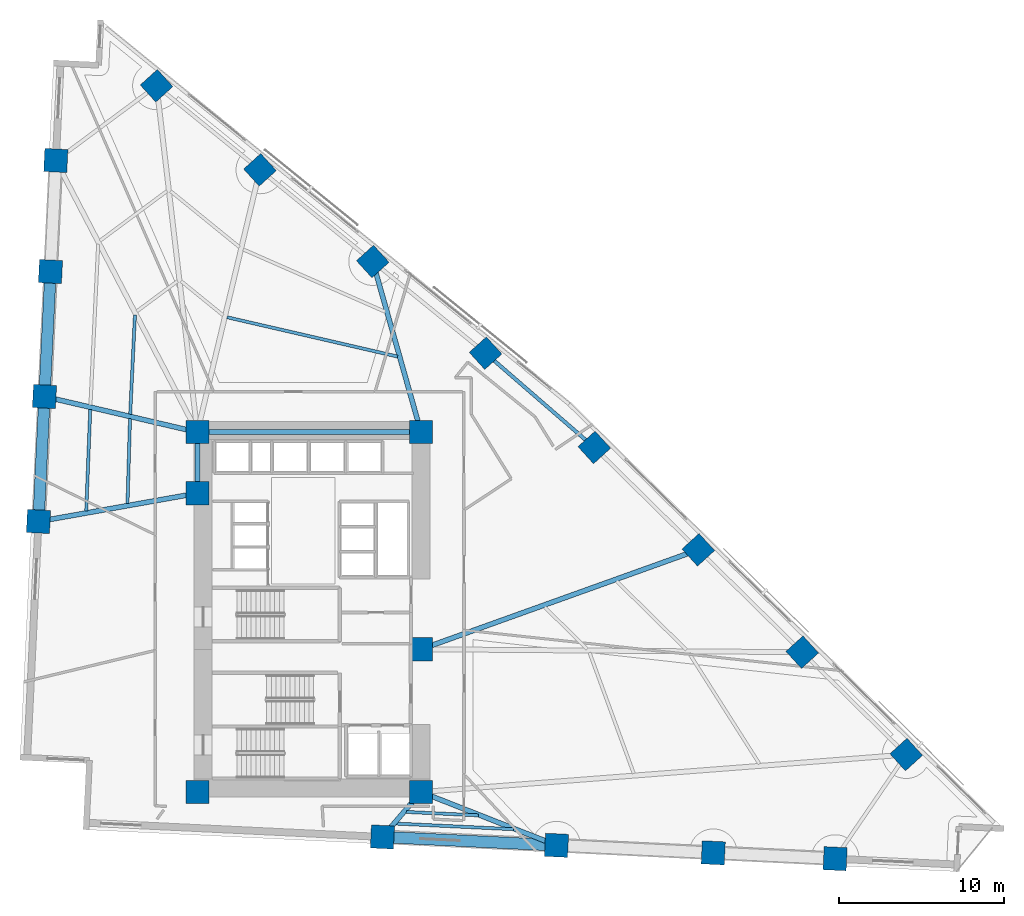
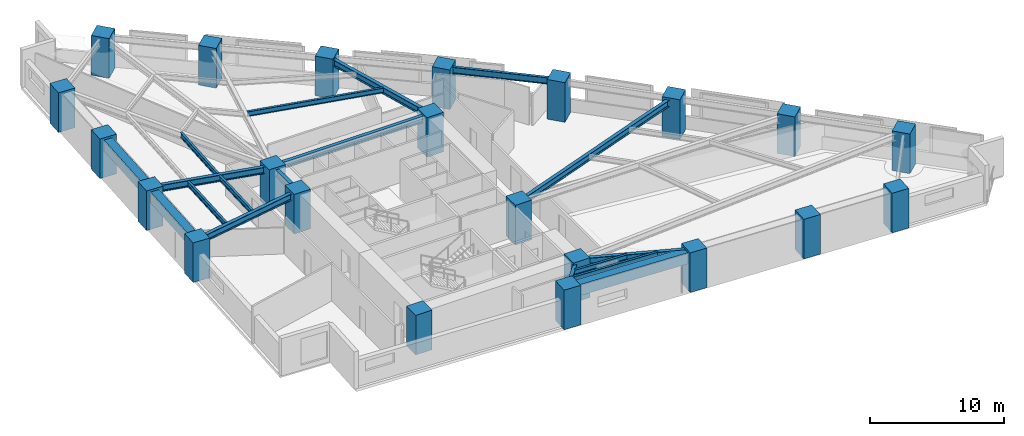
# One storey, part 1 of 17: 22 columns, 18 beams.
"""IFC4 building model written with IfcOpenShell, lengths in metres."""

from ifc_helpers import new_model, si_unit, direction, frame, origin, origin_2d, place, context, subcontext, project, spatial, rectangle, i_section, extrude, material, material_profile, profile_set, type_object, element, save


model = new_model("IFC4")

# Units and contexts
model_context = context("Model", 3, precision=1e-05, world=origin(), true_north=direction((0.0, 1.0)))
body_context = subcontext(model_context, "Body", "Model", "MODEL_VIEW")
ifc_project = project(units=[si_unit("LENGTHUNIT", "METRE"), si_unit("AREAUNIT", "SQUARE_METRE"), si_unit("VOLUMEUNIT", "CUBIC_METRE"), si_unit("PLANEANGLEUNIT", "RADIAN"), si_unit("MASSUNIT", "GRAM", prefix="KILO")], contexts=[model_context])

# Site, building, storey
site_placement = place(None, origin())
site = spatial("IfcSite", under=ifc_project, at=site_placement, CompositionType="ELEMENT")
building_placement = place(site_placement, origin())
building = spatial("IfcBuilding", under=site, at=building_placement, Name="Narakoshi Arena Tower", CompositionType="ELEMENT")
storey_placement = place(building_placement, frame((0.0, 0.0, 48.300048828125)))
storey = spatial("IfcBuildingStorey", under=building, at=storey_placement, Name="L12", CompositionType="ELEMENT", Elevation=48.300048828125)

# Columns
ifc_material_1 = material(Name="Concrete C60/75", Category="concrete")
ifc_material_profile_1 = material_profile(ifc_material_1, rectangle(XDim=1.39990234375, YDim=1.39990234375, at=origin_2d()), Name="RC1400x1400")
ifc_profile_set_1 = profile_set([ifc_material_profile_1], Name="Concrete C60/75")
column_type = type_object("IfcColumnType", Name="COL-RC1400", PredefinedType="COLUMN", material=ifc_profile_set_1)
for number, where, z_axis, x_axis, name in (
    (1, (72.0, 34.699951171875, 0.0), (0.0, 0.0, 1.0), (1.0, 0.0, 0.0), "L12 Core Structural Column CC1"),
    (2, (85.550048828125, 34.699951171875, 0.0), (0.0, 0.0, 1.0), (1.0, 0.0, 0.0), "L12 Core Structural Column CC2"),
    (3, (85.550048828125, 43.35009765625, 0.0), (0.0, 0.0, 1.0), (1.0, 0.0, 0.0), "L12 Core Structural Column CC3"),
    (4, (72.0, 52.800048828125, 0.0), (0.0, 0.0, 1.0), (1.0, 0.0, 0.0), "L12 Core Structural Column CC4"),
    (5, (72.0, 56.5, 0.0), (0.0, 0.0, 1.0), (1.0, 0.0, 0.0), "L12 Core Structural Column CC5"),
    (6, (85.550048828125, 56.5, 0.0), (0.0, 0.0, 1.0), (1.0, 0.0, 0.0), "L12 Core Structural Column CC6"),
    (7, (83.2119140625, 31.979248046875, 0.0), (0.0, 0.0, 1.0), (-0.998848386485, 0.047978128521, 0.0), "L12 Tower Perimeter Column TC01"),
    (8, (93.760009765625, 31.472412109375, 0.0), (0.0, 0.0, 1.0), (-0.998848386485, 0.047978128521, 0.0), "L12 Tower Perimeter Column TC02"),
    (9, (103.2529296875, 31.0166015625, 0.0), (0.0, 0.0, 1.0), (-0.998848386485, 0.047978128521, 0.0), "L12 Tower Perimeter Column TC03"),
    (10, (110.636474609375, 30.661865234375, 0.0), (0.0, 0.0, 1.0), (-0.998848386485, 0.047978128521, 0.0), "L12 Tower Perimeter Column TC04"),
    (11, (114.942138671875, 36.969970703125, 0.0), (0.0, 0.0, 1.0), (0.740218127487, 0.672366807435, 0.0), "L12 Tower Perimeter Column TC05"),
    (12, (108.643798828125, 43.171875, 0.0), (0.0, 0.0, 1.0), (0.740218127487, 0.672366807435, 0.0), "L12 Tower Perimeter Column TC06"),
    (13, (102.345458984375, 49.373779296875, 0.0), (0.0, 0.0, 1.0), (0.740218127487, 0.672366807435, 0.0), "L12 Tower Perimeter Column TC07"),
    (14, (96.047119140625, 55.57568359375, 0.0), (0.0, 0.0, 1.0), (0.740218127487, 0.672366807435, 0.0), "L12 Tower Perimeter Column TC08"),
    (15, (89.459716796875, 61.28515625, 0.0), (0.0, 0.0, 1.0), (0.740218127487, 0.672366807435, 0.0), "L12 Tower Perimeter Column TC09"),
    (16, (82.626953125, 66.838623046875, 0.0), (0.0, 0.0, 1.0), (0.740218127487, 0.672366807435, 0.0), "L12 Tower Perimeter Column TC10"),
    (17, (75.794189453125, 72.392333984375, 0.0), (0.0, 0.0, 1.0), (0.740218127487, 0.672366807435, 0.0), "L12 Tower Perimeter Column TC11"),
    (18, (69.531005859375, 77.483154296875, 0.0), (0.0, 0.0, 1.0), (0.740218127487, 0.672366807435, 0.0), "L12 Tower Perimeter Column TC12"),
    (19, (63.42822265625, 72.95654296875, 0.0), (0.0, 0.0, 1.0), (0.047978128521, 0.998848386485, 0.0), "L12 Tower Perimeter Column TC13"),
    (20, (63.10498046875, 66.228271484375, 0.0), (0.0, 0.0, 1.0), (0.047978128521, 0.998848386485, 0.0), "L12 Tower Perimeter Column TC14"),
    (21, (62.74169921875, 58.658935546875, 0.0), (0.0, 0.0, 1.0), (0.047978128521, 0.998848386485, 0.0), "L12 Tower Perimeter Column TC15"),
    (22, (62.3779296875, 51.08984375, 0.0), (0.0, 0.0, 1.0), (0.047978128521, 0.998848386485, 0.0), "L12 Tower Perimeter Column TC16"),
):
    element("IfcColumn", number, at=place(storey_placement, frame(where, z_axis=z_axis, x_axis=x_axis)), inside=storey, type_object=column_type, Name=name, PredefinedType="COLUMN", context=body_context, shape_type="SweptSolid", body=[
        extrude(rectangle(XDim=1.39990234375, YDim=1.39990234375, at=origin_2d()), origin(), (0.0, 0.0, 1.0), 3.599853515625),
    ])

# Beams
ifc_material_profile_2 = material_profile(ifc_material_1, rectangle(XDim=0.699951171875, YDim=1.0, at=origin_2d()), Name="RCB700x1000")
ifc_profile_set_2 = profile_set([ifc_material_profile_2], Name="Concrete C60/75")
beam_type_1 = type_object("IfcBeamType", Name="BM-CPL-1000", PredefinedType="BEAM", material=ifc_profile_set_2)
beam_1_placement = place(storey_placement, frame((83.2119140625, 31.979248046875, 2.89990234375), z_axis=(0.998847594152, -0.047994621119, 0.0), x_axis=(0.047994621119, 0.998847594152, 0.0)))
element("IfcBeam", 23, at=beam_1_placement, inside=storey, type_object=beam_type_1, Name="L12 Perimeter Edge Girder 01", PredefinedType="BEAM", context=body_context, shape_type="SweptSolid", body=[
    extrude(rectangle(XDim=0.699951171875, YDim=1.0, at=origin_2d()), origin(), (0.0, 0.0, 1.0), 10.560302734375),
])
beam_2_placement = place(storey_placement, frame((63.10498046875, 66.228271484375, 2.89990234375), z_axis=(-0.047938627957, -0.99885028305, 0.0), x_axis=(0.99885028305, -0.047938627957, 0.0)))
element("IfcBeam", 24, at=beam_2_placement, inside=storey, type_object=beam_type_1, Name="L12 Perimeter Edge Girder 14", PredefinedType="BEAM", context=body_context, shape_type="SweptSolid", body=[
    extrude(rectangle(XDim=0.699951171875, YDim=1.0, at=origin_2d()), origin(), (0.0, 0.0, 1.0), 7.578125),
])
beam_3_placement = place(storey_placement, frame((62.74169921875, 58.658935546875, 2.89990234375), z_axis=(-0.048004457986, -0.998847121442, 0.0), x_axis=(0.998847121442, -0.048004457986, 0.0)))
element("IfcBeam", 25, at=beam_3_placement, inside=storey, type_object=beam_type_1, Name="L12 Perimeter Edge Girder 15", PredefinedType="BEAM", context=body_context, shape_type="SweptSolid", body=[
    extrude(rectangle(XDim=0.699951171875, YDim=1.0, at=origin_2d()), origin(), (0.0, 0.0, 1.0), 7.577880859375),
])
ifc_material_2 = material(Name="Structural steel S355J2", Category="steel")
ifc_material_profile_3 = material_profile(ifc_material_2, i_section(OverallWidth=0.219970703125, OverallDepth=0.60009765625, WebThickness=0.011962890625, FlangeThickness=0.01904296875, FilletRadius=0.02392578125, at=origin_2d()), Name="IPE600")
ifc_profile_set_3 = profile_set([ifc_material_profile_3], Name="Structural steel S355J2")
beam_type_2 = type_object("IfcBeamType", Name="BM-EDGE-600", PredefinedType="BEAM", material=ifc_profile_set_3)
beam_4_placement = place(storey_placement, frame((96.047119140625, 55.57568359375, 3.099853515625), z_axis=(-0.755666904752, 0.654956127586, 0.0), x_axis=(-0.654956127586, -0.755666904752, 0.0)))
element("IfcBeam", 26, at=beam_4_placement, inside=storey, type_object=beam_type_2, Name="L12 Perimeter Edge Girder 08", PredefinedType="BEAM", context=body_context, shape_type="SweptSolid", body=[
    extrude(i_section(OverallWidth=0.219970703125, OverallDepth=0.60009765625, WebThickness=0.011962890625, FlangeThickness=0.01904296875, FilletRadius=0.02392578125, at=origin_2d()), origin(), (0.0, 0.0, 1.0), 8.71728515625),
])
ifc_material_profile_4 = material_profile(ifc_material_2, i_section(OverallWidth=0.300048828125, OverallDepth=0.60009765625, WebThickness=0.015380859375, FlangeThickness=0.030029296875, FilletRadius=0.027099609375, at=origin_2d()), Name="HE600B")
ifc_profile_set_4 = profile_set([ifc_material_profile_4], Name="Structural steel S355J2")
beam_type_3 = type_object("IfcBeamType", Name="BM-PRI-600", PredefinedType="BEAM", material=ifc_profile_set_4)
beam_5_placement = place(storey_placement, frame((85.550048828125, 34.699951171875, 3.099853515625), z_axis=(-0.651771636497, -0.75841527797, 0.0), x_axis=(0.75841527797, -0.651771636497, 0.0)))
element("IfcBeam", 27, at=beam_5_placement, inside=storey, type_object=beam_type_3, Name="L12 Radial Primary Floor Girder 01", PredefinedType="BEAM", context=body_context, shape_type="SweptSolid", body=[
    extrude(i_section(OverallWidth=0.300048828125, OverallDepth=0.60009765625, WebThickness=0.015380859375, FlangeThickness=0.030029296875, FilletRadius=0.027099609375, at=origin_2d()), origin(), (0.0, 0.0, 1.0), 3.58740234375),
])
beam_6_placement = place(storey_placement, frame((85.550048828125, 34.699951171875, 3.099853515625), z_axis=(0.930666699288, -0.365868138592, 0.0), x_axis=(0.365868138592, 0.930666699288, 0.0)))
element("IfcBeam", 28, at=beam_6_placement, inside=storey, type_object=beam_type_3, Name="L12 Radial Primary Floor Girder 02", PredefinedType="BEAM", context=body_context, shape_type="SweptSolid", body=[
    extrude(i_section(OverallWidth=0.300048828125, OverallDepth=0.60009765625, WebThickness=0.015380859375, FlangeThickness=0.030029296875, FilletRadius=0.027099609375, at=origin_2d()), origin(), (0.0, 0.0, 1.0), 8.821533203125),
])
beam_7_placement = place(storey_placement, frame((85.550048828125, 43.35009765625, 3.099853515625), z_axis=(0.941291582753, 0.337594662634, 0.0), x_axis=(-0.337594662634, 0.941291582753, 0.0)))
element("IfcBeam", 29, at=beam_7_placement, inside=storey, type_object=beam_type_3, Name="L12 Radial Primary Floor Girder 07", PredefinedType="BEAM", context=body_context, shape_type="SweptSolid", body=[
    extrude(i_section(OverallWidth=0.300048828125, OverallDepth=0.60009765625, WebThickness=0.015380859375, FlangeThickness=0.030029296875, FilletRadius=0.027099609375, at=origin_2d()), origin(), (0.0, 0.0, 1.0), 17.843017578125),
])
beam_8_placement = place(storey_placement, frame((85.550048828125, 56.5, 3.099853515625), z_axis=(-0.272069994974, 0.962277464058, 0.0), x_axis=(-0.962277464058, -0.272069994974, 0.0)))
element("IfcBeam", 30, at=beam_8_placement, inside=storey, type_object=beam_type_3, Name="L12 Radial Primary Floor Girder 10", PredefinedType="BEAM", context=body_context, shape_type="SweptSolid", body=[
    extrude(i_section(OverallWidth=0.300048828125, OverallDepth=0.60009765625, WebThickness=0.015380859375, FlangeThickness=0.030029296875, FilletRadius=0.027099609375, at=origin_2d()), origin(), (0.0, 0.0, 1.0), 10.743896484375),
])
beam_9_placement = place(storey_placement, frame((72.0, 56.5, 3.099853515625), z_axis=(-0.973872266719, 0.227096473145, 0.0), x_axis=(-0.227096473145, -0.973872266719, 0.0)))
element("IfcBeam", 31, at=beam_9_placement, inside=storey, type_object=beam_type_3, Name="L12 Radial Primary Floor Girder 15", PredefinedType="BEAM", context=body_context, shape_type="SweptSolid", body=[
    extrude(i_section(OverallWidth=0.300048828125, OverallDepth=0.60009765625, WebThickness=0.015380859375, FlangeThickness=0.030029296875, FilletRadius=0.027099609375, at=origin_2d()), origin(), (0.0, 0.0, 1.0), 9.506591796875),
])
beam_10_placement = place(storey_placement, frame((72.0, 52.800048828125, 3.099853515625), z_axis=(-0.984569299514, -0.174995126944, 0.0), x_axis=(0.174995126944, -0.984569299514, 0.0)))
element("IfcBeam", 32, at=beam_10_placement, inside=storey, type_object=beam_type_3, Name="L12 Radial Primary Floor Girder 16", PredefinedType="BEAM", context=body_context, shape_type="SweptSolid", body=[
    extrude(i_section(OverallWidth=0.300048828125, OverallDepth=0.60009765625, WebThickness=0.015380859375, FlangeThickness=0.030029296875, FilletRadius=0.027099609375, at=origin_2d()), origin(), (0.0, 0.0, 1.0), 9.77294921875),
])
beam_11_placement = place(storey_placement, frame((72.0, 52.800048828125, 3.099853515625), z_axis=(0.0, 1.0, 0.0), x_axis=(-1.0, 0.0, 0.0)))
element("IfcBeam", 33, at=beam_11_placement, inside=storey, type_object=beam_type_3, Name="L12 Core Perimeter Frame Beam CC4-CC5", PredefinedType="BEAM", context=body_context, shape_type="SweptSolid", body=[
    extrude(i_section(OverallWidth=0.300048828125, OverallDepth=0.60009765625, WebThickness=0.015380859375, FlangeThickness=0.030029296875, FilletRadius=0.027099609375, at=origin_2d()), origin(), (0.0, 0.0, 1.0), 3.699951171875),
])
beam_12_placement = place(storey_placement, frame((72.0, 56.5, 3.099853515625), z_axis=(1.0, 0.0, 0.0), x_axis=(0.0, 1.0, 0.0)))
element("IfcBeam", 34, at=beam_12_placement, inside=storey, type_object=beam_type_3, Name="L12 Core Perimeter Frame Beam CC5-CC6", PredefinedType="BEAM", context=body_context, shape_type="SweptSolid", body=[
    extrude(i_section(OverallWidth=0.300048828125, OverallDepth=0.60009765625, WebThickness=0.015380859375, FlangeThickness=0.030029296875, FilletRadius=0.027099609375, at=origin_2d()), origin(), (0.0, 0.0, 1.0), 13.550048828125),
])
ifc_material_profile_5 = material_profile(ifc_material_2, i_section(OverallWidth=0.18994140625, OverallDepth=0.449951171875, WebThickness=0.009521484375, FlangeThickness=0.0146484375, FilletRadius=0.02099609375, at=origin_2d()), Name="IPE450")
ifc_profile_set_5 = profile_set([ifc_material_profile_5], Name="Structural steel S355J2")
beam_type_4 = type_object("IfcBeamType", Name="BM-SEC-450", PredefinedType="JOIST", material=ifc_profile_set_5)
beam_13_placement = place(storey_placement, frame((84.656005859375, 33.496337890625, 3.175048828125), z_axis=(0.998848618666, -0.047973294541, 0.0), x_axis=(0.047973294541, 0.998848618666, 0.0)))
element("IfcBeam", 35, at=beam_13_placement, inside=storey, type_object=beam_type_4, Name="L12 Composite Secondary Floor Joist 01", PredefinedType="JOIST", context=body_context, shape_type="SweptSolid", body=[
    extrude(i_section(OverallWidth=0.18994140625, OverallDepth=0.449951171875, WebThickness=0.009521484375, FlangeThickness=0.0146484375, FilletRadius=0.02099609375, at=origin_2d()), origin(), (0.0, 0.0, 1.0), 4.376708984375),
])
beam_14_placement = place(storey_placement, frame((84.048095703125, 32.7890625, 3.175048828125), z_axis=(0.998847805769, -0.047990216825, 0.0), x_axis=(0.047990216825, 0.998847805769, 0.0)))
element("IfcBeam", 36, at=beam_14_placement, inside=storey, type_object=beam_type_4, Name="L12 Composite Secondary Floor Joist 02", PredefinedType="JOIST", context=body_context, shape_type="SweptSolid", body=[
    extrude(i_section(OverallWidth=0.18994140625, OverallDepth=0.449951171875, WebThickness=0.009521484375, FlangeThickness=0.0146484375, FilletRadius=0.02099609375, at=origin_2d()), origin(), (0.0, 0.0, 1.0), 7.122314453125),
])
beam_15_placement = place(storey_placement, frame((84.13232421875, 61.079345703125, 3.175048828125), z_axis=(-0.974413699893, 0.224761966223, 0.0), x_axis=(-0.224761966223, -0.974413699893, 0.0)))
element("IfcBeam", 37, at=beam_15_placement, inside=storey, type_object=beam_type_4, Name="L12 Composite Secondary Floor Joist 07", PredefinedType="JOIST", context=body_context, shape_type="SweptSolid", body=[
    extrude(i_section(OverallWidth=0.18994140625, OverallDepth=0.449951171875, WebThickness=0.009521484375, FlangeThickness=0.0146484375, FilletRadius=0.02099609375, at=origin_2d()), origin(), (0.0, 0.0, 1.0), 10.6025390625),
])
beam_16_placement = place(storey_placement, frame((68.221923828125, 63.606201171875, 3.175048828125), z_axis=(-0.047949971232, -0.998849738579, 0.0), x_axis=(0.998849738579, -0.047949971232, 0.0)))
element("IfcBeam", 38, at=beam_16_placement, inside=storey, type_object=beam_type_4, Name="L12 Composite Secondary Floor Joist 13", PredefinedType="JOIST", context=body_context, shape_type="SweptSolid", body=[
    extrude(i_section(OverallWidth=0.18994140625, OverallDepth=0.449951171875, WebThickness=0.009521484375, FlangeThickness=0.0146484375, FilletRadius=0.02099609375, at=origin_2d()), origin(), (0.0, 0.0, 1.0), 6.0283203125),
])
beam_17_placement = place(storey_placement, frame((67.92236328125, 57.31494140625, 3.175048828125), z_axis=(-0.029622614356, -0.999561154066, 0.0), x_axis=(0.999561154066, -0.029622614356, 0.0)))
element("IfcBeam", 39, at=beam_17_placement, inside=storey, type_object=beam_type_4, Name="L12 Composite Secondary Floor Joist 15", PredefinedType="JOIST", context=body_context, shape_type="SweptSolid", body=[
    extrude(i_section(OverallWidth=0.18994140625, OverallDepth=0.449951171875, WebThickness=0.009521484375, FlangeThickness=0.0146484375, FilletRadius=0.02099609375, at=origin_2d()), origin(), (0.0, 0.0, 1.0), 5.134521484375),
])
beam_18_placement = place(storey_placement, frame((65.513916015625, 57.87646484375, 3.175048828125), z_axis=(-0.039699826578, -0.999211651138, 0.0), x_axis=(0.999211651138, -0.039699826578, 0.0)))
element("IfcBeam", 40, at=beam_18_placement, inside=storey, type_object=beam_type_4, Name="L12 Composite Secondary Floor Joist 16", PredefinedType="JOIST", context=body_context, shape_type="SweptSolid", body=[
    extrude(i_section(OverallWidth=0.18994140625, OverallDepth=0.449951171875, WebThickness=0.009521484375, FlangeThickness=0.0146484375, FilletRadius=0.02099609375, at=origin_2d()), origin(), (0.0, 0.0, 1.0), 6.1435546875),
])

save(model, "model.ifc")
